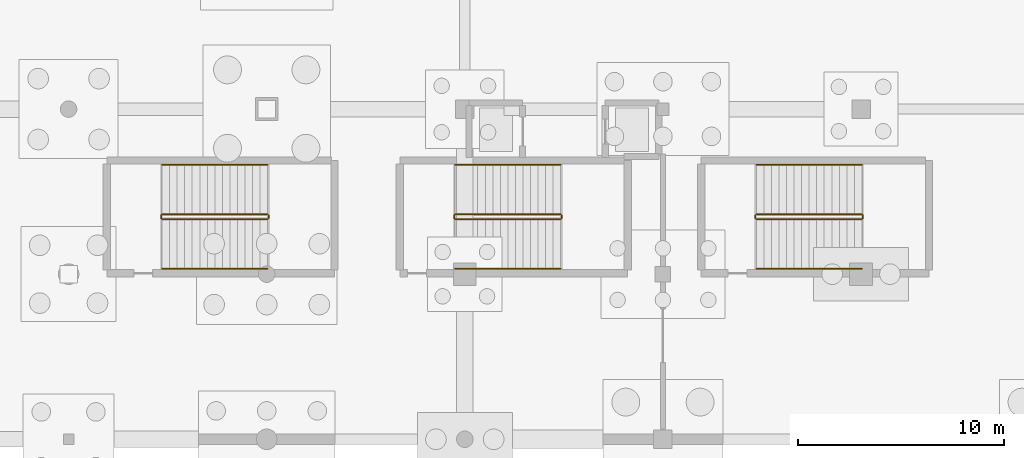
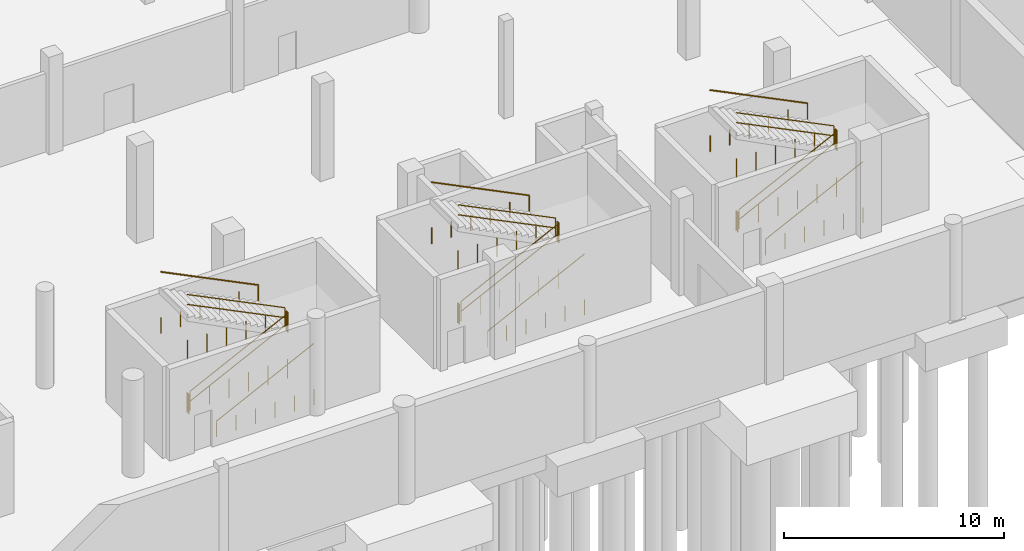
# One storey, part 36 of 44: 18 railings.
"""IFC4 building model written with IfcOpenShell, lengths in metres."""

import ifcopenshell
import ifcopenshell.guid

model = None  # the IFC model being written
_history = None  # IfcOwnerHistory: only IFC2X3 demands one
_inside = {}  # id of a spatial element -> (the spatial element, [elements in it])
_under = {}  # id of a project, library or spatial element -> (it, [spatial elements below it])
_declared = {}  # id of a project -> (the project, [libraries it declares])
_typed = {}  # id of a type object -> (the type object, [elements of that type])
_made_of = {}  # id of a material, layer set ... -> (it, [elements and type objects made of it])


def new_model(schema):
    """Start an empty IFC model of exactly this schema.

    Asked for "IFC4X3", IfcOpenShell would pick the latest addendum, in which some entities
    have other attributes; the version numbers below select the first issue.
    IFC2X3 requires an IfcOwnerHistory on every rooted entity: one is made here for all.
    """
    global model, _history
    if schema == "IFC4X3":
        model = ifcopenshell.file(schema_version=(4, 3, 0, 0))
    else:
        model = ifcopenshell.file(schema=schema)
    _inside.clear()
    _under.clear()
    _declared.clear()
    _typed.clear()
    _made_of.clear()
    _history = None
    if model.schema == "IFC2X3":
        org = make("IfcOrganization", Name="unknown")
        user = make(
            "IfcPersonAndOrganization",
            ThePerson=make("IfcPerson", FamilyName="unknown"),
            TheOrganization=org,
        )
        app = make(
            "IfcApplication",
            ApplicationDeveloper=org,
            Version="unknown",
            ApplicationFullName="unknown",
            ApplicationIdentifier="unknown",
        )
        _history = make(
            "IfcOwnerHistory",
            OwningUser=user,
            OwningApplication=app,
            ChangeAction="ADDED",
            CreationDate=0,
        )
    return model


def make(cls, **values):
    """One entity of the class cls with the attributes given. An attribute that is None is left unset."""
    return model.create_entity(
        cls, **{name: value for name, value in values.items() if value is not None}
    )


def rooted(cls, **values):
    """An entity with a GlobalId (a new one), such as an element, a storey or a relation."""
    return make(cls, GlobalId=ifcopenshell.guid.new(), OwnerHistory=_history, **values)


def si_unit(unit_type, name, prefix=None):
    """IfcSIUnit, for example si_unit("LENGTHUNIT", "METRE", prefix="MILLI")."""
    return make("IfcSIUnit", UnitType=unit_type, Prefix=prefix, Name=name)


def assignment(units):
    """IfcUnitAssignment: the units of a project."""
    return None if units is None else make("IfcUnitAssignment", Units=units)


def point(xyz):
    """IfcCartesianPoint."""
    return None if xyz is None else make("IfcCartesianPoint", Coordinates=xyz)


def direction(xyz):
    """IfcDirection."""
    return None if xyz is None else make("IfcDirection", DirectionRatios=xyz)


def frame(location, z_axis=None, x_axis=None):
    """IfcAxis2Placement3D, a coordinate frame: its origin and axes. An axis left out is left unset."""
    return make(
        "IfcAxis2Placement3D",
        Location=point(location),
        Axis=direction(z_axis),
        RefDirection=direction(x_axis),
    )


def frame_2d(location, x_axis=None):
    """IfcAxis2Placement2D, a coordinate frame in the plane: its origin and x axis."""
    return make(
        "IfcAxis2Placement2D", Location=point(location), RefDirection=direction(x_axis)
    )


def origin():
    """The frame at (0, 0, 0) with its axes left unset."""
    return frame((0.0, 0.0, 0.0))


def origin_2d():
    """The frame at (0, 0) in the plane with its x axis left unset."""
    return frame_2d((0.0, 0.0))


def place(relative_to, where):
    """IfcLocalPlacement: puts the frame where relative to a parent placement (None: the world)."""
    return make(
        "IfcLocalPlacement", PlacementRelTo=relative_to, RelativePlacement=where
    )


def context(
    kind, dimensions, precision=None, world=None, true_north=None, identifier=None
):
    """IfcGeometricRepresentationContext, for example the 3D "Model" context."""
    return make(
        "IfcGeometricRepresentationContext",
        ContextIdentifier=identifier,
        ContextType=kind,
        CoordinateSpaceDimension=dimensions,
        Precision=precision,
        WorldCoordinateSystem=world,
        TrueNorth=true_north,
    )


def subcontext(parent, identifier, kind, view, scale=None):
    """IfcGeometricRepresentationSubContext, for example "Body" below "Model"."""
    return make(
        "IfcGeometricRepresentationSubContext",
        ContextIdentifier=identifier,
        ContextType=kind,
        ParentContext=parent,
        TargetScale=scale,
        TargetView=view,
    )


def project(units=None, contexts=None):
    """IfcProject with its units and contexts."""
    return rooted(
        "IfcProject",
        Name="project",
        RepresentationContexts=contexts,
        UnitsInContext=assignment(units),
    )


def spatial(cls, under=None, at=None, **own):
    """A site, building, storey or space (cls), placed at a placement, below another one or the project."""
    s = rooted(cls, ObjectPlacement=at, **own)
    if under is not None:
        _under.setdefault(under.id(), (under, []))[1].append(s)
    return s


def profile(cls, at=None, kind="AREA", **sizes):
    """A parametric profile (cls). Its sizes go by their IFC names, for example OverallWidth=200.0."""
    return make(cls, ProfileType=kind, Position=at, **sizes)


def circle(**sizes):
    """IfcCircleProfileDef."""
    return profile("IfcCircleProfileDef", **sizes)


def extrude(swept, where, along, depth):
    """IfcExtrudedAreaSolid: the profile swept, set in the frame where, extruded along a direction by depth."""
    return make(
        "IfcExtrudedAreaSolid",
        SweptArea=swept,
        Position=where,
        ExtrudedDirection=direction(along),
        Depth=depth,
    )


def shape(context_of_items, identifier, shape_type, items):
    """IfcShapeRepresentation: the items that make up one representation, for example the "Body"."""
    return make(
        "IfcShapeRepresentation",
        ContextOfItems=context_of_items,
        RepresentationIdentifier=identifier,
        RepresentationType=shape_type,
        Items=items,
    )


def material(Name=None, Category=None):
    """IfcMaterial."""
    return make("IfcMaterial", Name=Name, Category=Category)


def made_of(thing, what):
    """Note that an element or type object is made of a material, layer set ...; save() writes the relation."""
    if what is not None:
        _made_of.setdefault(what.id(), (what, []))[1].append(thing)
    return thing


def type_object(cls, material=None, **own):
    """A type object (cls), such as IfcWallType, which elements share."""
    return made_of(rooted(cls, **own), material)


def element(
    cls,
    number,
    at=None,
    inside=None,
    cuts=None,
    type_object=None,
    material=None,
    context=None,
    identifier="Body",
    shape_type=None,
    held_by="IfcProductDefinitionShape",
    body=None,
    shapes=None,
    **own,
):
    """One element of the class cls, such as IfcWall. Its Tag is "e" and its number.

    at: its placement. inside: the storey or other place that contains it. cuts: it is an
    opening in that element (IfcRelVoidsElement). A single representation is given by context,
    identifier, shape_type and body (its items); several are given by shapes. held_by: the class
    of the entity that holds the representations. save() writes the other relations.
    """
    e = rooted(cls, Tag="e%d" % number, ObjectPlacement=at, **own)
    if body is not None:
        shapes = [shape(context, identifier, shape_type, body)]
    if shapes is not None:
        e.Representation = make(held_by, Representations=shapes)
    if inside is not None:
        _inside.setdefault(inside.id(), (inside, []))[1].append(e)
    if cuts is not None:
        rooted(
            "IfcRelVoidsElement", RelatingBuildingElement=cuts, RelatedOpeningElement=e
        )
    if type_object is not None:
        _typed.setdefault(type_object.id(), (type_object, []))[1].append(e)
    return made_of(e, material)


def aggregate(whole, parts):
    """IfcRelAggregates: a whole, such as a stair, and the parts it consists of."""
    return rooted("IfcRelAggregates", RelatingObject=whole, RelatedObjects=parts)


def save(model, path):
    """Write the relations noted so far, then the file.

    IfcRelAggregates (storeys below a building ...), IfcRelContainedInSpatialStructure (elements
    in a storey), IfcRelDefinesByType, IfcRelAssociatesMaterial and IfcRelDeclares: one each for
    every whole, place, type object, material and project.
    """
    for whole, parts in _under.values():
        aggregate(whole, parts)
    for where, things in _inside.values():
        rooted(
            "IfcRelContainedInSpatialStructure",
            RelatedElements=things,
            RelatingStructure=where,
        )
    for kind, things in _typed.values():
        rooted("IfcRelDefinesByType", RelatedObjects=things, RelatingType=kind)
    for what, things in _made_of.values():
        rooted("IfcRelAssociatesMaterial", RelatedObjects=things, RelatingMaterial=what)
    for by, libraries in _declared.values():
        rooted("IfcRelDeclares", RelatingContext=by, RelatedDefinitions=libraries)
    model.write(path)


model = new_model("IFC4")

# Units and contexts
model_context = context("Model", 3, precision=1e-05, world=origin(), true_north=direction((0.0, 1.0)))
body_context = subcontext(model_context, "Body", "Model", "MODEL_VIEW")
ifc_project = project(units=[si_unit("LENGTHUNIT", "METRE"), si_unit("AREAUNIT", "SQUARE_METRE"), si_unit("VOLUMEUNIT", "CUBIC_METRE"), si_unit("PLANEANGLEUNIT", "RADIAN"), si_unit("MASSUNIT", "GRAM", prefix="KILO")], contexts=[model_context])

# Site, building, storey
site_placement = place(None, origin())
site = spatial("IfcSite", under=ifc_project, at=site_placement, CompositionType="ELEMENT")
building_placement = place(site_placement, origin())
building = spatial("IfcBuilding", under=site, at=building_placement, Name="Danafjord Basin Convention Centre", CompositionType="ELEMENT")
storey_placement = place(building_placement, frame((0.0, 0.0, -5.39990234375)))
storey = spatial("IfcBuildingStorey", under=building, at=storey_placement, Name="B1", CompositionType="ELEMENT", Elevation=-5.39990234375)

# Railings
ifc_material_1 = material(Name="Galvanised steel S355", Category="steel")
railing_type_1 = type_object("IfcRailingType", Name="RL-GD-WELL", PredefinedType="BALUSTRADE", material=ifc_material_1)
railing_1_placement = place(storey_placement, frame((85.929931640625, 18.659912109375, 0.179931640625)))
element("IfcRailing", 1, at=railing_1_placement, inside=storey, type_object=railing_type_1, Name="B1 ST-03 stair guard 1", PredefinedType="BALUSTRADE", context=body_context, shape_type="SweptSolid", body=[
    extrude(circle(Radius=0.02392578125, at=origin_2d()), frame((0.0, 0.0, 1.076171875), z_axis=(0.896873198966, 0.0, 0.442287762635), x_axis=(0.0, 1.0, 0.0)), (0.0, 0.0, 1.0), 5.69775390625),
    extrude(circle(Radius=0.02392578125, at=origin_2d()), frame((0.0, 0.0, 0.52587890625), z_axis=(0.896873198966, 0.0, 0.442287762635), x_axis=(0.0, 1.0, 0.0)), (0.0, 0.0, 1.0), 5.69775390625),
    extrude(circle(Radius=0.02099609375, at=origin_2d()), origin(), (0.0, 0.0, 1.0), 1.050048828125),
    extrude(circle(Radius=0.02099609375, at=origin_2d()), frame((1.02197265625, 0.0, 0.0)), (0.0, 0.0, 1.0), 1.050048828125),
    extrude(circle(Radius=0.02099609375, at=origin_2d()), frame((2.0439453125, 0.0, 0.0)), (0.0, 0.0, 1.0), 1.050048828125),
    extrude(circle(Radius=0.02099609375, at=origin_2d()), frame((3.066162109375, 0.0, 0.0)), (0.0, 0.0, 1.0), 1.050048828125),
    extrude(circle(Radius=0.02099609375, at=origin_2d()), frame((4.088134765625, 0.0, 0.0)), (0.0, 0.0, 1.0), 1.050048828125),
    extrude(circle(Radius=0.02099609375, at=origin_2d()), frame((5.110107421875, 0.0, 0.0)), (0.0, 0.0, 1.0), 1.050048828125),
])
railing_2_placement = place(storey_placement, frame((91.090087890625, 18.7099609375, 2.699951171875)))
element("IfcRailing", 2, at=railing_2_placement, inside=storey, type_object=railing_type_1, Name="B1 ST-03 stair guard 2", PredefinedType="BALUSTRADE", context=body_context, shape_type="SweptSolid", body=[
    extrude(circle(Radius=0.02392578125, at=origin_2d()), frame((0.0, 0.0, 1.076171875), z_axis=(0.0, 1.0, 0.0), x_axis=(-1.0, 0.0, 0.0)), (0.0, 0.0, 1.0), 0.14013671875),
    extrude(circle(Radius=0.02392578125, at=origin_2d()), frame((0.0, 0.0, 0.52587890625), z_axis=(0.0, 1.0, 0.0), x_axis=(-1.0, 0.0, 0.0)), (0.0, 0.0, 1.0), 0.14013671875),
    extrude(circle(Radius=0.02099609375, at=origin_2d()), origin(), (0.0, 0.0, 1.0), 1.050048828125),
    extrude(circle(Radius=0.02099609375, at=origin_2d()), frame((0.0, 0.14013671875, 0.0)), (0.0, 0.0, 1.0), 1.050048828125),
])
railing_3_placement = place(storey_placement, frame((91.0400390625, 18.89990234375, 2.8798828125)))
element("IfcRailing", 3, at=railing_3_placement, inside=storey, type_object=railing_type_1, Name="B1 ST-03 stair guard 3", PredefinedType="BALUSTRADE", context=body_context, shape_type="SweptSolid", body=[
    extrude(circle(Radius=0.02392578125, at=origin_2d()), frame((0.0, 0.0, 1.076171875), z_axis=(-0.896873198966, 0.0, 0.442287762635), x_axis=(0.0, -1.0, 0.0)), (0.0, 0.0, 1.0), 5.69775390625),
    extrude(circle(Radius=0.02392578125, at=origin_2d()), frame((0.0, 0.0, 0.52587890625), z_axis=(-0.896873198966, 0.0, 0.442287762635), x_axis=(0.0, -1.0, 0.0)), (0.0, 0.0, 1.0), 5.69775390625),
    extrude(circle(Radius=0.02099609375, at=origin_2d()), origin(), (0.0, 0.0, 1.0), 1.050048828125),
    extrude(circle(Radius=0.02099609375, at=origin_2d()), frame((-1.02197265625, 0.0, 0.0)), (0.0, 0.0, 1.0), 1.050048828125),
    extrude(circle(Radius=0.02099609375, at=origin_2d()), frame((-2.0439453125, 0.0, 0.0)), (0.0, 0.0, 1.0), 1.050048828125),
    extrude(circle(Radius=0.02099609375, at=origin_2d()), frame((-3.066162109375, 0.0, 0.0)), (0.0, 0.0, 1.0), 1.050048828125),
    extrude(circle(Radius=0.02099609375, at=origin_2d()), frame((-4.088134765625, 0.0, 0.0)), (0.0, 0.0, 1.0), 1.050048828125),
    extrude(circle(Radius=0.02099609375, at=origin_2d()), frame((-5.110107421875, 0.0, 0.0)), (0.0, 0.0, 1.0), 1.050048828125),
])
railing_4_placement = place(storey_placement, frame((85.8798828125, 18.7099609375, 0.0)))
element("IfcRailing", 4, at=railing_4_placement, inside=storey, type_object=railing_type_1, Name="B1 ST-03 stair guard 4", PredefinedType="BALUSTRADE", context=body_context, shape_type="SweptSolid", body=[
    extrude(circle(Radius=0.02392578125, at=origin_2d()), frame((0.0, 0.0, 1.076171875), z_axis=(0.0, 1.0, 0.0), x_axis=(-1.0, 0.0, 0.0)), (0.0, 0.0, 1.0), 0.14013671875),
    extrude(circle(Radius=0.02392578125, at=origin_2d()), frame((0.0, 0.0, 0.52587890625), z_axis=(0.0, 1.0, 0.0), x_axis=(-1.0, 0.0, 0.0)), (0.0, 0.0, 1.0), 0.14013671875),
    extrude(circle(Radius=0.02099609375, at=origin_2d()), origin(), (0.0, 0.0, 1.0), 1.050048828125),
    extrude(circle(Radius=0.02099609375, at=origin_2d()), frame((0.0, 0.14013671875, 0.0)), (0.0, 0.0, 1.0), 1.050048828125),
])
railing_5_placement = place(storey_placement, frame((100.530029296875, 18.659912109375, 0.179931640625)))
element("IfcRailing", 5, at=railing_5_placement, inside=storey, type_object=railing_type_1, Name="B1 ST-04 stair guard 1", PredefinedType="BALUSTRADE", context=body_context, shape_type="SweptSolid", body=[
    extrude(circle(Radius=0.02392578125, at=origin_2d()), frame((0.0, 0.0, 1.076171875), z_axis=(0.89686481642, 0.0, 0.442304760396), x_axis=(0.0, 1.0, 0.0)), (0.0, 0.0, 1.0), 5.697509765625),
    extrude(circle(Radius=0.02392578125, at=origin_2d()), frame((0.0, 0.0, 0.52587890625), z_axis=(0.89686481642, 0.0, 0.442304760396), x_axis=(0.0, 1.0, 0.0)), (0.0, 0.0, 1.0), 5.697509765625),
    extrude(circle(Radius=0.02099609375, at=origin_2d()), origin(), (0.0, 0.0, 1.0), 1.050048828125),
    extrude(circle(Radius=0.02099609375, at=origin_2d()), frame((1.02197265625, 0.0, 0.0)), (0.0, 0.0, 1.0), 1.050048828125),
    extrude(circle(Radius=0.02099609375, at=origin_2d()), frame((2.0439453125, 0.0, 0.0)), (0.0, 0.0, 1.0), 1.050048828125),
    extrude(circle(Radius=0.02099609375, at=origin_2d()), frame((3.06591796875, 0.0, 0.0)), (0.0, 0.0, 1.0), 1.050048828125),
    extrude(circle(Radius=0.02099609375, at=origin_2d()), frame((4.087890625, 0.0, 0.0)), (0.0, 0.0, 1.0), 1.050048828125),
    extrude(circle(Radius=0.02099609375, at=origin_2d()), frame((5.10986328125, 0.0, 0.0)), (0.0, 0.0, 1.0), 1.050048828125),
])
railing_6_placement = place(storey_placement, frame((105.68994140625, 18.7099609375, 2.699951171875)))
element("IfcRailing", 6, at=railing_6_placement, inside=storey, type_object=railing_type_1, Name="B1 ST-04 stair guard 2", PredefinedType="BALUSTRADE", context=body_context, shape_type="SweptSolid", body=[
    extrude(circle(Radius=0.02392578125, at=origin_2d()), frame((0.0, 0.0, 1.076171875), z_axis=(0.0, 1.0, 0.0), x_axis=(-1.0, 0.0, 0.0)), (0.0, 0.0, 1.0), 0.14013671875),
    extrude(circle(Radius=0.02392578125, at=origin_2d()), frame((0.0, 0.0, 0.52587890625), z_axis=(0.0, 1.0, 0.0), x_axis=(-1.0, 0.0, 0.0)), (0.0, 0.0, 1.0), 0.14013671875),
    extrude(circle(Radius=0.02099609375, at=origin_2d()), origin(), (0.0, 0.0, 1.0), 1.050048828125),
    extrude(circle(Radius=0.02099609375, at=origin_2d()), frame((0.0, 0.14013671875, 0.0)), (0.0, 0.0, 1.0), 1.050048828125),
])
railing_7_placement = place(storey_placement, frame((105.639892578125, 18.89990234375, 2.8798828125)))
element("IfcRailing", 7, at=railing_7_placement, inside=storey, type_object=railing_type_1, Name="B1 ST-04 stair guard 3", PredefinedType="BALUSTRADE", context=body_context, shape_type="SweptSolid", body=[
    extrude(circle(Radius=0.02392578125, at=origin_2d()), frame((0.0, 0.0, 1.076171875), z_axis=(-0.89686481642, 0.0, 0.442304760396), x_axis=(0.0, -1.0, 0.0)), (0.0, 0.0, 1.0), 5.697509765625),
    extrude(circle(Radius=0.02392578125, at=origin_2d()), frame((0.0, 0.0, 0.52587890625), z_axis=(-0.89686481642, 0.0, 0.442304760396), x_axis=(0.0, -1.0, 0.0)), (0.0, 0.0, 1.0), 5.697509765625),
    extrude(circle(Radius=0.02099609375, at=origin_2d()), origin(), (0.0, 0.0, 1.0), 1.050048828125),
    extrude(circle(Radius=0.02099609375, at=origin_2d()), frame((-1.02197265625, 0.0, 0.0)), (0.0, 0.0, 1.0), 1.050048828125),
    extrude(circle(Radius=0.02099609375, at=origin_2d()), frame((-2.0439453125, 0.0, 0.0)), (0.0, 0.0, 1.0), 1.050048828125),
    extrude(circle(Radius=0.02099609375, at=origin_2d()), frame((-3.06591796875, 0.0, 0.0)), (0.0, 0.0, 1.0), 1.050048828125),
    extrude(circle(Radius=0.02099609375, at=origin_2d()), frame((-4.087890625, 0.0, 0.0)), (0.0, 0.0, 1.0), 1.050048828125),
    extrude(circle(Radius=0.02099609375, at=origin_2d()), frame((-5.10986328125, 0.0, 0.0)), (0.0, 0.0, 1.0), 1.050048828125),
])
railing_8_placement = place(storey_placement, frame((100.47998046875, 18.7099609375, 0.0)))
element("IfcRailing", 8, at=railing_8_placement, inside=storey, type_object=railing_type_1, Name="B1 ST-04 stair guard 4", PredefinedType="BALUSTRADE", context=body_context, shape_type="SweptSolid", body=[
    extrude(circle(Radius=0.02392578125, at=origin_2d()), frame((0.0, 0.0, 1.076171875), z_axis=(0.0, 1.0, 0.0), x_axis=(-1.0, 0.0, 0.0)), (0.0, 0.0, 1.0), 0.14013671875),
    extrude(circle(Radius=0.02392578125, at=origin_2d()), frame((0.0, 0.0, 0.52587890625), z_axis=(0.0, 1.0, 0.0), x_axis=(-1.0, 0.0, 0.0)), (0.0, 0.0, 1.0), 0.14013671875),
    extrude(circle(Radius=0.02099609375, at=origin_2d()), origin(), (0.0, 0.0, 1.0), 1.050048828125),
    extrude(circle(Radius=0.02099609375, at=origin_2d()), frame((0.0, 0.14013671875, 0.0)), (0.0, 0.0, 1.0), 1.050048828125),
])
railing_9_placement = place(storey_placement, frame((71.72998046875, 18.659912109375, 0.179931640625)))
element("IfcRailing", 9, at=railing_9_placement, inside=storey, type_object=railing_type_1, Name="B1 ST-06 stair guard 1", PredefinedType="BALUSTRADE", context=body_context, shape_type="SweptSolid", body=[
    extrude(circle(Radius=0.02392578125, at=origin_2d()), frame((0.0, 0.0, 1.076171875), z_axis=(0.896873198966, 0.0, 0.442287762635), x_axis=(0.0, 1.0, 0.0)), (0.0, 0.0, 1.0), 5.69775390625),
    extrude(circle(Radius=0.02392578125, at=origin_2d()), frame((0.0, 0.0, 0.52587890625), z_axis=(0.896873198966, 0.0, 0.442287762635), x_axis=(0.0, 1.0, 0.0)), (0.0, 0.0, 1.0), 5.69775390625),
    extrude(circle(Radius=0.02099609375, at=origin_2d()), origin(), (0.0, 0.0, 1.0), 1.050048828125),
    extrude(circle(Radius=0.02099609375, at=origin_2d()), frame((1.02197265625, 0.0, 0.0)), (0.0, 0.0, 1.0), 1.050048828125),
    extrude(circle(Radius=0.02099609375, at=origin_2d()), frame((2.0439453125, 0.0, 0.0)), (0.0, 0.0, 1.0), 1.050048828125),
    extrude(circle(Radius=0.02099609375, at=origin_2d()), frame((3.066162109375, 0.0, 0.0)), (0.0, 0.0, 1.0), 1.050048828125),
    extrude(circle(Radius=0.02099609375, at=origin_2d()), frame((4.088134765625, 0.0, 0.0)), (0.0, 0.0, 1.0), 1.050048828125),
    extrude(circle(Radius=0.02099609375, at=origin_2d()), frame((5.110107421875, 0.0, 0.0)), (0.0, 0.0, 1.0), 1.050048828125),
])
railing_10_placement = place(storey_placement, frame((76.889892578125, 18.7099609375, 2.699951171875)))
element("IfcRailing", 10, at=railing_10_placement, inside=storey, type_object=railing_type_1, Name="B1 ST-06 stair guard 2", PredefinedType="BALUSTRADE", context=body_context, shape_type="SweptSolid", body=[
    extrude(circle(Radius=0.02392578125, at=origin_2d()), frame((0.0, 0.0, 1.076171875), z_axis=(0.0, 1.0, 0.0), x_axis=(-1.0, 0.0, 0.0)), (0.0, 0.0, 1.0), 0.14013671875),
    extrude(circle(Radius=0.02392578125, at=origin_2d()), frame((0.0, 0.0, 0.52587890625), z_axis=(0.0, 1.0, 0.0), x_axis=(-1.0, 0.0, 0.0)), (0.0, 0.0, 1.0), 0.14013671875),
    extrude(circle(Radius=0.02099609375, at=origin_2d()), origin(), (0.0, 0.0, 1.0), 1.050048828125),
    extrude(circle(Radius=0.02099609375, at=origin_2d()), frame((0.0, 0.14013671875, 0.0)), (0.0, 0.0, 1.0), 1.050048828125),
])
railing_11_placement = place(storey_placement, frame((76.840087890625, 18.89990234375, 2.8798828125)))
element("IfcRailing", 11, at=railing_11_placement, inside=storey, type_object=railing_type_1, Name="B1 ST-06 stair guard 3", PredefinedType="BALUSTRADE", context=body_context, shape_type="SweptSolid", body=[
    extrude(circle(Radius=0.02392578125, at=origin_2d()), frame((0.0, 0.0, 1.076171875), z_axis=(-0.896873198966, 0.0, 0.442287762635), x_axis=(0.0, -1.0, 0.0)), (0.0, 0.0, 1.0), 5.69775390625),
    extrude(circle(Radius=0.02392578125, at=origin_2d()), frame((0.0, 0.0, 0.52587890625), z_axis=(-0.896873198966, 0.0, 0.442287762635), x_axis=(0.0, -1.0, 0.0)), (0.0, 0.0, 1.0), 5.69775390625),
    extrude(circle(Radius=0.02099609375, at=origin_2d()), origin(), (0.0, 0.0, 1.0), 1.050048828125),
    extrude(circle(Radius=0.02099609375, at=origin_2d()), frame((-1.02197265625, 0.0, 0.0)), (0.0, 0.0, 1.0), 1.050048828125),
    extrude(circle(Radius=0.02099609375, at=origin_2d()), frame((-2.0439453125, 0.0, 0.0)), (0.0, 0.0, 1.0), 1.050048828125),
    extrude(circle(Radius=0.02099609375, at=origin_2d()), frame((-3.066162109375, 0.0, 0.0)), (0.0, 0.0, 1.0), 1.050048828125),
    extrude(circle(Radius=0.02099609375, at=origin_2d()), frame((-4.088134765625, 0.0, 0.0)), (0.0, 0.0, 1.0), 1.050048828125),
    extrude(circle(Radius=0.02099609375, at=origin_2d()), frame((-5.110107421875, 0.0, 0.0)), (0.0, 0.0, 1.0), 1.050048828125),
])
railing_12_placement = place(storey_placement, frame((71.679931640625, 18.7099609375, 0.0)))
element("IfcRailing", 12, at=railing_12_placement, inside=storey, type_object=railing_type_1, Name="B1 ST-06 stair guard 4", PredefinedType="BALUSTRADE", context=body_context, shape_type="SweptSolid", body=[
    extrude(circle(Radius=0.02392578125, at=origin_2d()), frame((0.0, 0.0, 1.076171875), z_axis=(0.0, 1.0, 0.0), x_axis=(-1.0, 0.0, 0.0)), (0.0, 0.0, 1.0), 0.14013671875),
    extrude(circle(Radius=0.02392578125, at=origin_2d()), frame((0.0, 0.0, 0.52587890625), z_axis=(0.0, 1.0, 0.0), x_axis=(-1.0, 0.0, 0.0)), (0.0, 0.0, 1.0), 0.14013671875),
    extrude(circle(Radius=0.02099609375, at=origin_2d()), origin(), (0.0, 0.0, 1.0), 1.050048828125),
    extrude(circle(Radius=0.02099609375, at=origin_2d()), frame((0.0, 0.14013671875, 0.0)), (0.0, 0.0, 1.0), 1.050048828125),
])
ifc_material_2 = material(Name="Brushed stainless steel EN 1.4404", Category="steel")
railing_type_2 = type_object("IfcRailingType", Name="RL-HR-STAIR", PredefinedType="HANDRAIL", material=ifc_material_2)
railing_13_placement = place(storey_placement, frame((85.929931640625, 16.260009765625, 0.179931640625)))
element("IfcRailing", 13, at=railing_13_placement, inside=storey, type_object=railing_type_2, Name="B1 ST-03 stair handrail 1", PredefinedType="HANDRAIL", context=body_context, shape_type="SweptSolid", body=[
    extrude(circle(Radius=0.02392578125, at=origin_2d()), frame((0.0, 0.0, 0.8759765625), z_axis=(0.896873198966, 0.0, 0.442287762635), x_axis=(0.0, 1.0, 0.0)), (0.0, 0.0, 1.0), 5.69775390625),
    extrude(circle(Radius=0.02099609375, at=origin_2d()), origin(), (0.0, 0.0, 1.0), 0.849853515625),
    extrude(circle(Radius=0.02099609375, at=origin_2d()), frame((1.02197265625, 0.0, 0.0)), (0.0, 0.0, 1.0), 0.849853515625),
    extrude(circle(Radius=0.02099609375, at=origin_2d()), frame((2.0439453125, 0.0, 0.0)), (0.0, 0.0, 1.0), 0.849853515625),
    extrude(circle(Radius=0.02099609375, at=origin_2d()), frame((3.066162109375, 0.0, 0.0)), (0.0, 0.0, 1.0), 0.849853515625),
    extrude(circle(Radius=0.02099609375, at=origin_2d()), frame((4.088134765625, 0.0, 0.0)), (0.0, 0.0, 1.0), 0.849853515625),
    extrude(circle(Radius=0.02099609375, at=origin_2d()), frame((5.110107421875, 0.0, 0.0)), (0.0, 0.0, 1.0), 0.849853515625),
])
railing_14_placement = place(storey_placement, frame((91.0400390625, 21.300048828125, 2.8798828125)))
element("IfcRailing", 14, at=railing_14_placement, inside=storey, type_object=railing_type_2, Name="B1 ST-03 stair handrail 2", PredefinedType="HANDRAIL", context=body_context, shape_type="SweptSolid", body=[
    extrude(circle(Radius=0.02392578125, at=origin_2d()), frame((0.0, 0.0, 0.8759765625), z_axis=(-0.896873198966, 0.0, 0.442287762635), x_axis=(0.0, -1.0, 0.0)), (0.0, 0.0, 1.0), 5.69775390625),
    extrude(circle(Radius=0.02099609375, at=origin_2d()), origin(), (0.0, 0.0, 1.0), 0.849853515625),
    extrude(circle(Radius=0.02099609375, at=origin_2d()), frame((-1.02197265625, 0.0, 0.0)), (0.0, 0.0, 1.0), 0.849853515625),
    extrude(circle(Radius=0.02099609375, at=origin_2d()), frame((-2.0439453125, 0.0, 0.0)), (0.0, 0.0, 1.0), 0.849853515625),
    extrude(circle(Radius=0.02099609375, at=origin_2d()), frame((-3.066162109375, 0.0, 0.0)), (0.0, 0.0, 1.0), 0.849853515625),
    extrude(circle(Radius=0.02099609375, at=origin_2d()), frame((-4.088134765625, 0.0, 0.0)), (0.0, 0.0, 1.0), 0.849853515625),
    extrude(circle(Radius=0.02099609375, at=origin_2d()), frame((-5.110107421875, 0.0, 0.0)), (0.0, 0.0, 1.0), 0.849853515625),
])
railing_15_placement = place(storey_placement, frame((100.530029296875, 16.260009765625, 0.179931640625)))
element("IfcRailing", 15, at=railing_15_placement, inside=storey, type_object=railing_type_2, Name="B1 ST-04 stair handrail 1", PredefinedType="HANDRAIL", context=body_context, shape_type="SweptSolid", body=[
    extrude(circle(Radius=0.02392578125, at=origin_2d()), frame((0.0, 0.0, 0.8759765625), z_axis=(0.89686481642, 0.0, 0.442304760396), x_axis=(0.0, 1.0, 0.0)), (0.0, 0.0, 1.0), 5.697509765625),
    extrude(circle(Radius=0.02099609375, at=origin_2d()), origin(), (0.0, 0.0, 1.0), 0.849853515625),
    extrude(circle(Radius=0.02099609375, at=origin_2d()), frame((1.02197265625, 0.0, 0.0)), (0.0, 0.0, 1.0), 0.849853515625),
    extrude(circle(Radius=0.02099609375, at=origin_2d()), frame((2.0439453125, 0.0, 0.0)), (0.0, 0.0, 1.0), 0.849853515625),
    extrude(circle(Radius=0.02099609375, at=origin_2d()), frame((3.06591796875, 0.0, 0.0)), (0.0, 0.0, 1.0), 0.849853515625),
    extrude(circle(Radius=0.02099609375, at=origin_2d()), frame((4.087890625, 0.0, 0.0)), (0.0, 0.0, 1.0), 0.849853515625),
    extrude(circle(Radius=0.02099609375, at=origin_2d()), frame((5.10986328125, 0.0, 0.0)), (0.0, 0.0, 1.0), 0.849853515625),
])
railing_16_placement = place(storey_placement, frame((105.639892578125, 21.300048828125, 2.8798828125)))
element("IfcRailing", 16, at=railing_16_placement, inside=storey, type_object=railing_type_2, Name="B1 ST-04 stair handrail 2", PredefinedType="HANDRAIL", context=body_context, shape_type="SweptSolid", body=[
    extrude(circle(Radius=0.02392578125, at=origin_2d()), frame((0.0, 0.0, 0.8759765625), z_axis=(-0.89686481642, 0.0, 0.442304760396), x_axis=(0.0, -1.0, 0.0)), (0.0, 0.0, 1.0), 5.697509765625),
    extrude(circle(Radius=0.02099609375, at=origin_2d()), origin(), (0.0, 0.0, 1.0), 0.849853515625),
    extrude(circle(Radius=0.02099609375, at=origin_2d()), frame((-1.02197265625, 0.0, 0.0)), (0.0, 0.0, 1.0), 0.849853515625),
    extrude(circle(Radius=0.02099609375, at=origin_2d()), frame((-2.0439453125, 0.0, 0.0)), (0.0, 0.0, 1.0), 0.849853515625),
    extrude(circle(Radius=0.02099609375, at=origin_2d()), frame((-3.06591796875, 0.0, 0.0)), (0.0, 0.0, 1.0), 0.849853515625),
    extrude(circle(Radius=0.02099609375, at=origin_2d()), frame((-4.087890625, 0.0, 0.0)), (0.0, 0.0, 1.0), 0.849853515625),
    extrude(circle(Radius=0.02099609375, at=origin_2d()), frame((-5.10986328125, 0.0, 0.0)), (0.0, 0.0, 1.0), 0.849853515625),
])
railing_17_placement = place(storey_placement, frame((71.72998046875, 16.260009765625, 0.179931640625)))
element("IfcRailing", 17, at=railing_17_placement, inside=storey, type_object=railing_type_2, Name="B1 ST-06 stair handrail 1", PredefinedType="HANDRAIL", context=body_context, shape_type="SweptSolid", body=[
    extrude(circle(Radius=0.02392578125, at=origin_2d()), frame((0.0, 0.0, 0.8759765625), z_axis=(0.896873198966, 0.0, 0.442287762635), x_axis=(0.0, 1.0, 0.0)), (0.0, 0.0, 1.0), 5.69775390625),
    extrude(circle(Radius=0.02099609375, at=origin_2d()), origin(), (0.0, 0.0, 1.0), 0.849853515625),
    extrude(circle(Radius=0.02099609375, at=origin_2d()), frame((1.02197265625, 0.0, 0.0)), (0.0, 0.0, 1.0), 0.849853515625),
    extrude(circle(Radius=0.02099609375, at=origin_2d()), frame((2.0439453125, 0.0, 0.0)), (0.0, 0.0, 1.0), 0.849853515625),
    extrude(circle(Radius=0.02099609375, at=origin_2d()), frame((3.066162109375, 0.0, 0.0)), (0.0, 0.0, 1.0), 0.849853515625),
    extrude(circle(Radius=0.02099609375, at=origin_2d()), frame((4.088134765625, 0.0, 0.0)), (0.0, 0.0, 1.0), 0.849853515625),
    extrude(circle(Radius=0.02099609375, at=origin_2d()), frame((5.110107421875, 0.0, 0.0)), (0.0, 0.0, 1.0), 0.849853515625),
])
railing_18_placement = place(storey_placement, frame((76.840087890625, 21.300048828125, 2.8798828125)))
element("IfcRailing", 18, at=railing_18_placement, inside=storey, type_object=railing_type_2, Name="B1 ST-06 stair handrail 2", PredefinedType="HANDRAIL", context=body_context, shape_type="SweptSolid", body=[
    extrude(circle(Radius=0.02392578125, at=origin_2d()), frame((0.0, 0.0, 0.8759765625), z_axis=(-0.896873198966, 0.0, 0.442287762635), x_axis=(0.0, -1.0, 0.0)), (0.0, 0.0, 1.0), 5.69775390625),
    extrude(circle(Radius=0.02099609375, at=origin_2d()), origin(), (0.0, 0.0, 1.0), 0.849853515625),
    extrude(circle(Radius=0.02099609375, at=origin_2d()), frame((-1.02197265625, 0.0, 0.0)), (0.0, 0.0, 1.0), 0.849853515625),
    extrude(circle(Radius=0.02099609375, at=origin_2d()), frame((-2.0439453125, 0.0, 0.0)), (0.0, 0.0, 1.0), 0.849853515625),
    extrude(circle(Radius=0.02099609375, at=origin_2d()), frame((-3.066162109375, 0.0, 0.0)), (0.0, 0.0, 1.0), 0.849853515625),
    extrude(circle(Radius=0.02099609375, at=origin_2d()), frame((-4.088134765625, 0.0, 0.0)), (0.0, 0.0, 1.0), 0.849853515625),
    extrude(circle(Radius=0.02099609375, at=origin_2d()), frame((-5.110107421875, 0.0, 0.0)), (0.0, 0.0, 1.0), 0.849853515625),
])

save(model, "model.ifc")
